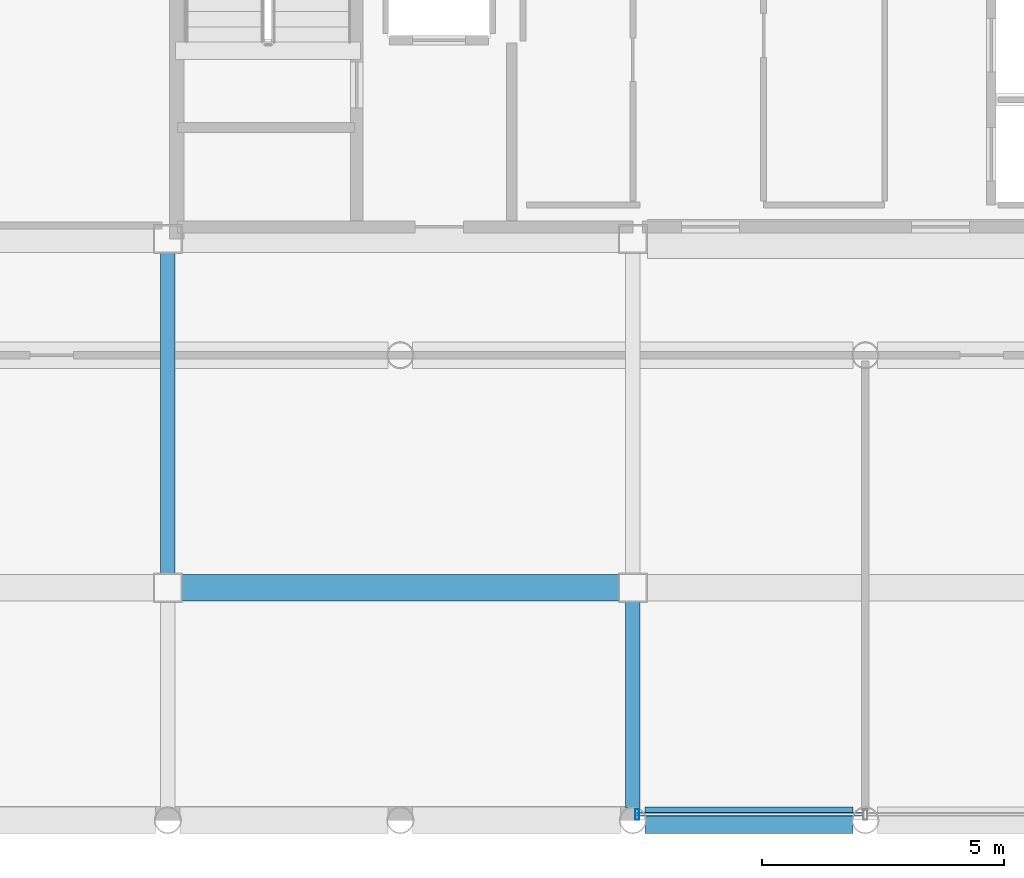
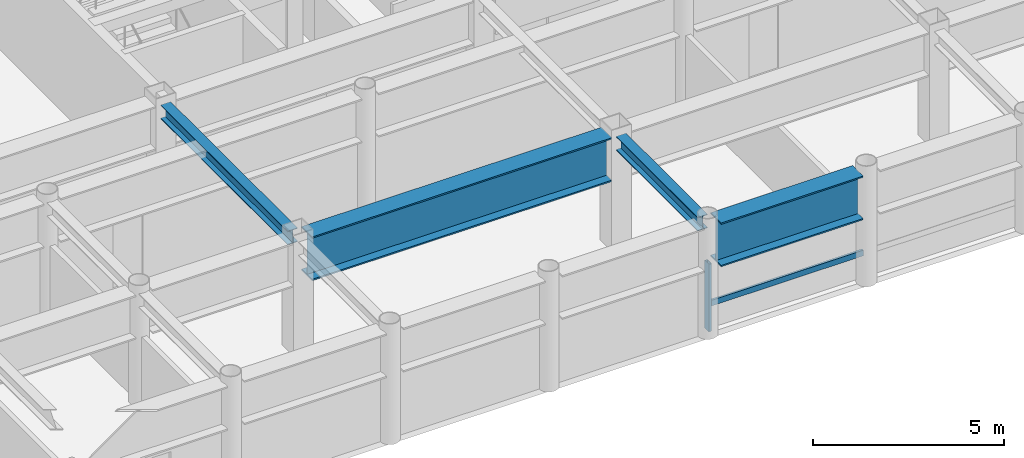
# One storey, part 4 of 21: 4 beams, 2 members, 1 element without a shape of its own.
"""IFC4 building model written with IfcOpenShell, lengths in metres."""

from ifc_helpers import new_model, si_unit, direction, frame, origin, origin_2d, place, context, subcontext, project, spatial, hollow_rectangle, i_section, extrude, material, layer, layer_set, material_profile, profile_set, type_object, element, aggregate, save


model = new_model("IFC4")

# Units and contexts
model_context = context("Model", 3, precision=1e-05, world=origin(), true_north=direction((0.0, 1.0)))
body_context = subcontext(model_context, "Body", "Model", "MODEL_VIEW")
ifc_project = project(units=[si_unit("LENGTHUNIT", "METRE"), si_unit("AREAUNIT", "SQUARE_METRE"), si_unit("VOLUMEUNIT", "CUBIC_METRE"), si_unit("PLANEANGLEUNIT", "RADIAN"), si_unit("MASSUNIT", "GRAM", prefix="KILO")], contexts=[model_context])

# Site, building, storey
site_placement = place(None, origin())
site = spatial("IfcSite", under=ifc_project, at=site_placement, CompositionType="ELEMENT")
building_placement = place(site_placement, origin())
building = spatial("IfcBuilding", under=site, at=building_placement, Name="Kallvorn Hotel Tower", CompositionType="ELEMENT")
storey_placement = place(building_placement, frame((0.0, 0.0, 272.35009765625)))
storey = spatial("IfcBuildingStorey", under=building, at=storey_placement, Name="L68", CompositionType="ELEMENT", Elevation=272.35009765625)

# Beams
ifc_material_1 = material(Name="Structural steel S355JR", Category="steel")
ifc_material_profile_1 = material_profile(ifc_material_1, i_section(OverallWidth=0.300048828125, OverallDepth=0.43994140625, WebThickness=0.011474609375, FlangeThickness=0.02099609375, at=origin_2d()), Name="HE 450 A")
ifc_profile_set_1 = profile_set([ifc_material_profile_1], Name="Structural steel S355JR")
beam_type_1 = type_object("IfcBeamType", Name="BM_HE450A", PredefinedType="BEAM", material=ifc_profile_set_1)
beam_1_placement = place(storey_placement, frame((-14.39990234375, -14.125, 3.3798828125), z_axis=(0.0, 1.0, 0.0), x_axis=(-1.0, 0.0, 0.0)))
element("IfcBeam", 1, at=beam_1_placement, inside=storey, type_object=beam_type_1, Name="L69 Primary Y-Girder 99", PredefinedType="BEAM", context=body_context, shape_type="SweptSolid", body=[
    extrude(i_section(OverallWidth=0.300048828125, OverallDepth=0.43994140625, WebThickness=0.011474609375, FlangeThickness=0.02099609375, at=origin_2d()), origin(), (0.0, 0.0, 1.0), 6.64990234375),
])
beam_2_placement = place(storey_placement, frame((-4.800048828125, -18.945556640625, 3.3798828125), z_axis=(0.0, 1.0, 0.0), x_axis=(-1.0, 0.0, 0.0)))
element("IfcBeam", 2, at=beam_2_placement, inside=storey, type_object=beam_type_1, Name="L69 Primary Y-Girder 106", PredefinedType="BEAM", context=body_context, shape_type="SweptSolid", body=[
    extrude(i_section(OverallWidth=0.300048828125, OverallDepth=0.43994140625, WebThickness=0.011474609375, FlangeThickness=0.02099609375, at=origin_2d()), origin(), (0.0, 0.0, 1.0), 4.2705078125),
])
ifc_material_2 = material(Name="Structural steel S355JR", Category="steel")
ifc_material_profile_2 = material_profile(ifc_material_2, i_section(OverallWidth=0.550048828125, OverallDepth=1.39990234375, WebThickness=0.02490234375, FlangeThickness=0.044921875, at=origin_2d()), Name="PG 1400x550x25x45")
ifc_profile_set_2 = profile_set([ifc_material_profile_2], Name="Structural steel S355JR")
beam_type_2 = type_object("IfcBeamType", Name="BM_PG_1400", PredefinedType="BEAM", material=ifc_profile_set_2)
beam_3_placement = place(storey_placement, frame((-4.54541015625, -19.199951171875, 2.89990234375), z_axis=(1.0, 0.0, 0.0), x_axis=(0.0, 1.0, 0.0)))
element("IfcBeam", 3, at=beam_3_placement, inside=storey, type_object=beam_type_2, Name="L69 Primary X-Girder 06", PredefinedType="BEAM", context=body_context, shape_type="SweptSolid", body=[
    extrude(i_section(OverallWidth=0.550048828125, OverallDepth=1.39990234375, WebThickness=0.02490234375, FlangeThickness=0.044921875, at=origin_2d()), origin(), (0.0, 0.0, 1.0), 4.291015625),
])
beam_4_placement = place(storey_placement, frame((-14.125, -14.39990234375, 2.89990234375), z_axis=(1.0, 0.0, 0.0), x_axis=(0.0, 1.0, 0.0)))
element("IfcBeam", 4, at=beam_4_placement, inside=storey, type_object=beam_type_2, Name="L69 Primary X-Girder 17", PredefinedType="BEAM", context=body_context, shape_type="SweptSolid", body=[
    extrude(i_section(OverallWidth=0.550048828125, OverallDepth=1.39990234375, WebThickness=0.02490234375, FlangeThickness=0.044921875, at=origin_2d()), origin(), (0.0, 0.0, 1.0), 9.050048828125),
])

# Curtain wall, members
ifc_material_3 = material(Name="Thermally broken black-anodised aluminium AA 6063-T6", Category="aluminium")
ifc_layer = layer(ifc_material_3, 0.22998046875)
ifc_layer_set = layer_set([ifc_layer], Name="CW_SYS_5_HOTEL_HIGH")
curtain_wall_type = type_object("IfcCurtainWallType", Name="CW_SYS_5_HOTEL_HIGH", PredefinedType="USERDEFINED", material=ifc_layer_set)
curtain_wall_placement = place(storey_placement, origin())
curtain_wall = element("IfcCurtainWall", 5, at=curtain_wall_placement, inside=storey, type_object=curtain_wall_type, Name="L68 Dark-Glass Curtain Wall CW-L68-SC", ObjectType="UNITISED CURTAIN WALL", PredefinedType="USERDEFINED")
ifc_material_4 = material(Name="Thermally broken black-anodised aluminium AA 6063-T6", Category="aluminium")
ifc_material_profile_3 = material_profile(ifc_material_4, hollow_rectangle(XDim=0.080078125, YDim=0.219970703125, WallThickness=0.0048828125, at=origin_2d()), Name="MUL 220x80")
ifc_profile_set_3 = profile_set([ifc_material_profile_3], Name="Thermally broken black-anodised aluminium AA 6063-T6")
member_type_1 = type_object("IfcMemberType", Name="CW_MULLION_220x80", PredefinedType="MULLION", material=ifc_profile_set_3)
member_1_placement = place(storey_placement, frame((-4.7099609375, -19.080078125, 0.02001953125), z_axis=(0.0, 0.0, 1.0), x_axis=(1.0, 0.0, 0.0)))
member_1 = element("IfcMember", 6, at=member_1_placement, type_object=member_type_1, Name="CW-L68-SC Mullion 00", PredefinedType="MULLION", context=body_context, shape_type="SweptSolid", body=[
    extrude(hollow_rectangle(XDim=0.080078125, YDim=0.219970703125, WallThickness=0.0048828125, at=origin_2d()), origin(), (0.0, 0.0, 1.0), 2.159912109375),
])
ifc_material_5 = material(Name="Thermally broken black-anodised aluminium AA 6063-T6", Category="aluminium")
ifc_material_profile_4 = material_profile(ifc_material_5, hollow_rectangle(XDim=0.070068359375, YDim=0.179931640625, WallThickness=0.00390625, at=origin_2d()), Name="TRN 180x70")
ifc_profile_set_4 = profile_set([ifc_material_profile_4], Name="Thermally broken black-anodised aluminium AA 6063-T6")
member_type_2 = type_object("IfcMemberType", Name="CW_TRANSOM_180x70", PredefinedType="USERDEFINED", material=ifc_profile_set_4)
member_2_placement = place(storey_placement, frame((-4.7099609375, -19.080078125, 0.849853515625), z_axis=(1.0, 0.0, 0.0), x_axis=(0.0, 1.0, 0.0)))
member_2 = element("IfcMember", 7, at=member_2_placement, type_object=member_type_2, Name="CW-L68-SC Transom 00M", ObjectType="TRANSOM", PredefinedType="USERDEFINED", context=body_context, shape_type="SweptSolid", body=[
    extrude(hollow_rectangle(XDim=0.070068359375, YDim=0.179931640625, WallThickness=0.00390625, at=origin_2d()), origin(), (0.0, 0.0, 1.0), 4.669921875),
])
aggregate(curtain_wall, [member_1, member_2])

save(model, "model.ifc")
